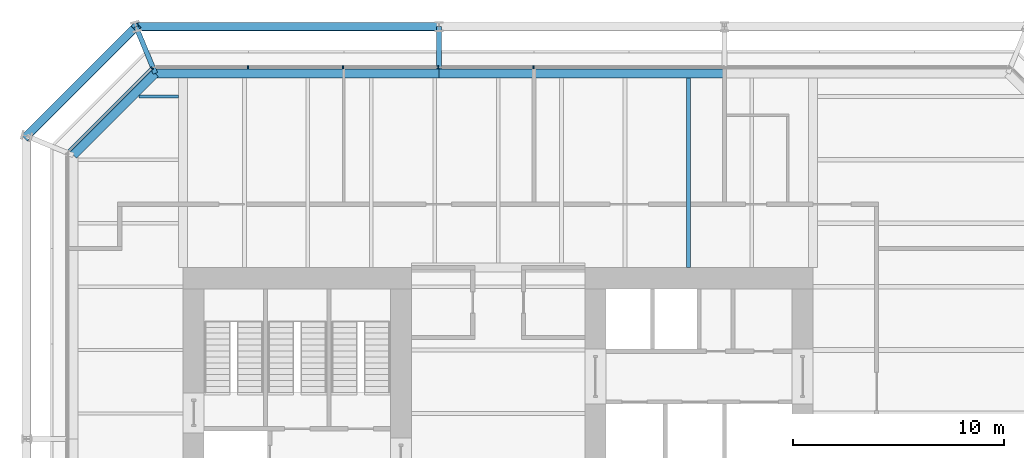
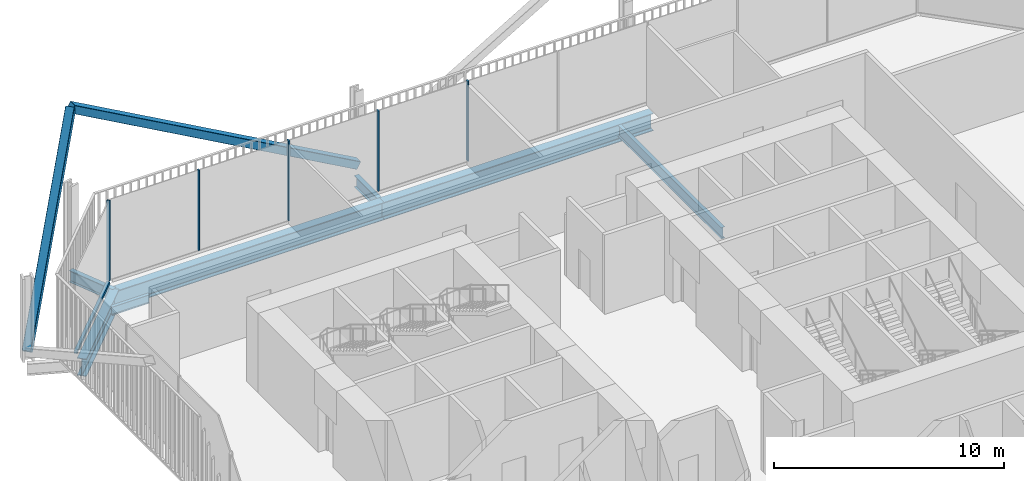
# One storey, part 12 of 21: 8 members, 7 beams, 2 elements without a shape of their own.
"""IFC4 building model written with IfcOpenShell, lengths in metres."""

from ifc_helpers import new_model, si_unit, direction, frame, origin, origin_2d, place, context, subcontext, project, spatial, rectangle, hollow_rectangle, i_section, extrude, material, layer, layer_set, material_profile, profile_set, type_object, element, aggregate, save


model = new_model("IFC4")

# Units and contexts
model_context = context("Model", 3, precision=1e-05, world=origin(), true_north=direction((0.0, 1.0)))
body_context = subcontext(model_context, "Body", "Model", "MODEL_VIEW")
ifc_project = project(units=[si_unit("LENGTHUNIT", "METRE"), si_unit("AREAUNIT", "SQUARE_METRE"), si_unit("VOLUMEUNIT", "CUBIC_METRE"), si_unit("PLANEANGLEUNIT", "RADIAN"), si_unit("MASSUNIT", "GRAM", prefix="KILO")], contexts=[model_context])

# Site, building, storey
site_placement = place(None, origin())
site = spatial("IfcSite", under=ifc_project, at=site_placement, CompositionType="ELEMENT")
building_placement = place(site_placement, origin())
building = spatial("IfcBuilding", under=site, at=building_placement, Name="Millrace Tower", CompositionType="ELEMENT")
storey_placement = place(building_placement, frame((0.0, 0.0, 82.0)))
storey = spatial("IfcBuildingStorey", under=building, at=storey_placement, Name="L18", CompositionType="ELEMENT", Elevation=82.0)

# Curtain wall, members
ifc_material_1 = material(Name="Aluminium and glass", Category="aluminium")
ifc_layer = layer(ifc_material_1, 0.14990234375)
ifc_layer_set = layer_set([ifc_layer], Name="Aluminium and glass")
curtain_wall_type = type_object("IfcCurtainWallType", Name="CW-3 telecom floor curtain wall", PredefinedType="NOTDEFINED", material=ifc_layer_set)
placement = place(storey_placement, origin())
curtain_wall_1 = element("IfcCurtainWall", 1, at=placement, inside=storey, type_object=curtain_wall_type, Name="Curtain wall B-F06 L18", PredefinedType="NOTDEFINED")
ifc_material_2 = material(Name="Aluminium", Category="aluminium")
ifc_material_profile_1 = material_profile(ifc_material_2, rectangle(XDim=0.06494140625, YDim=0.14990234375, at=origin_2d()))
ifc_profile_set_1 = profile_set([ifc_material_profile_1], Name="Aluminium")
member_type_1 = type_object("IfcMemberType", Name="CW-3 telecom floor curtain wall mullion", PredefinedType="MULLION", material=ifc_profile_set_1)
member_1_placement = place(storey_placement, frame((1.66748046875, 19.375, 0.14990234375), z_axis=(0.0, 0.0, 1.0), x_axis=(-1.0, 0.0, 0.0)))
member_1 = element("IfcMember", 2, at=member_1_placement, type_object=member_type_1, Name="CW3 mullion B-F06.6", PredefinedType="MULLION", context=body_context, shape_type="SweptSolid", body=[
    extrude(rectangle(XDim=0.06494140625, YDim=0.14990234375, at=origin_2d()), origin(), (0.0, 0.0, 1.0), 4.25),
])
member_2_placement = place(storey_placement, frame((-2.83251953125, 19.375, 0.14990234375), z_axis=(0.0, 0.0, 1.0), x_axis=(-1.0, 0.0, 0.0)))
member_2 = element("IfcMember", 3, at=member_2_placement, type_object=member_type_1, Name="CW3 mullion B-F06.7", PredefinedType="MULLION", context=body_context, shape_type="SweptSolid", body=[
    extrude(rectangle(XDim=0.06494140625, YDim=0.14990234375, at=origin_2d()), origin(), (0.0, 0.0, 1.0), 4.25),
])
member_3_placement = place(storey_placement, frame((-7.33251953125, 19.375, 0.14990234375), z_axis=(0.0, 0.0, 1.0), x_axis=(-1.0, 0.0, 0.0)))
member_3 = element("IfcMember", 4, at=member_3_placement, type_object=member_type_1, Name="CW3 mullion B-F06.8", PredefinedType="MULLION", context=body_context, shape_type="SweptSolid", body=[
    extrude(rectangle(XDim=0.06494140625, YDim=0.14990234375, at=origin_2d()), origin(), (0.0, 0.0, 1.0), 4.25),
])
member_4_placement = place(storey_placement, frame((-11.83251953125, 19.375, 0.14990234375), z_axis=(0.0, 0.0, 1.0), x_axis=(-1.0, 0.0, 0.0)))
member_4 = element("IfcMember", 5, at=member_4_placement, type_object=member_type_1, Name="CW3 mullion B-F06.9", PredefinedType="MULLION", context=body_context, shape_type="SweptSolid", body=[
    extrude(rectangle(XDim=0.06494140625, YDim=0.14990234375, at=origin_2d()), origin(), (0.0, 0.0, 1.0), 4.25),
])
aggregate(curtain_wall_1, [member_1, member_2, member_3, member_4])

curtain_wall_2 = element("IfcCurtainWall", 6, at=placement, inside=storey, type_object=curtain_wall_type, Name="Curtain wall B-F07 L18", PredefinedType="NOTDEFINED")
member_5_placement = place(storey_placement, frame((-16.3759765625, 19.330078125, 0.14990234375), z_axis=(0.0, 0.0, 1.0), x_axis=(-0.707106781187, -0.707106781187, 0.0)))
member_5 = element("IfcMember", 7, at=member_5_placement, type_object=member_type_1, Name="CW3 mullion B-F07.1", PredefinedType="MULLION", context=body_context, shape_type="SweptSolid", body=[
    extrude(rectangle(XDim=0.06494140625, YDim=0.14990234375, at=origin_2d()), origin(), (0.0, 0.0, 1.0), 4.25),
])
ifc_material_3 = material(Name="Aluminium", Category="aluminium")
ifc_material_profile_2 = material_profile(ifc_material_3, rectangle(XDim=0.14990234375, YDim=0.14990234375, at=origin_2d()))
ifc_profile_set_2 = profile_set([ifc_material_profile_2], Name="Aluminium")
member_type_2 = type_object("IfcMemberType", Name="CW-3 telecom floor curtain wall transom", PredefinedType="USERDEFINED", material=ifc_profile_set_2)
member_6_placement = place(storey_placement, frame((-16.423828125, 19.2822265625, 0.074951171875), z_axis=(-0.707106781187, -0.707106781187, 0.0), x_axis=(0.707106781187, -0.707106781187, 0.0)))
member_6 = element("IfcMember", 8, at=member_6_placement, type_object=member_type_2, Name="CW3 transom B-F07.1", ObjectType="TRANSOM", PredefinedType="USERDEFINED", context=body_context, shape_type="SweptSolid", body=[
    extrude(rectangle(XDim=0.14990234375, YDim=0.14990234375, at=origin_2d()), origin(), (0.0, 0.0, 1.0), 5.45654296875),
])
aggregate(curtain_wall_2, [member_5, member_6])

# Members
ifc_material_4 = material(Name="Steel ASTM A500 Grade C", Category="steel")
ifc_material_profile_3 = material_profile(ifc_material_4, hollow_rectangle(XDim=0.406494140625, YDim=0.406494140625, WallThickness=0.015869140625, InnerFilletRadius=0.008056640625, OuterFilletRadius=0.02392578125, at=origin_2d()))
ifc_profile_set_3 = profile_set([ifc_material_profile_3], Name="Steel ASTM A500 Grade C")
member_type_3 = type_object("IfcMemberType", Name="Exoskeleton brace HSS16x16x5/8", PredefinedType="BRACE", material=ifc_profile_set_3)
member_7_placement = place(storey_placement, frame((-2.800048828125, 21.300048828125, 0.39990234375), z_axis=(-0.873125840427, 0.0, 0.487494888976), x_axis=(0.0, -1.0, 0.0)))
element("IfcMember", 9, at=member_7_placement, inside=storey, type_object=member_type_3, Name="BRC-B-L18-12", PredefinedType="BRACE", context=body_context, shape_type="SweptSolid", body=[
    extrude(hollow_rectangle(XDim=0.406494140625, YDim=0.406494140625, WallThickness=0.015869140625, InnerFilletRadius=0.008056640625, OuterFilletRadius=0.02392578125, at=origin_2d()), origin(), (0.0, 0.0, 1.0), 16.410400390625),
])
member_8_placement = place(storey_placement, frame((-22.300048828125, 16.12841796875, 0.39990234375), z_axis=(0.477116280189, 0.477116280189, 0.738051563482), x_axis=(-0.707106781187, 0.707106781187, 0.0)))
element("IfcMember", 10, at=member_8_placement, inside=storey, type_object=member_type_3, Name="BRC-B-L18-13", PredefinedType="BRACE", context=body_context, shape_type="SweptSolid", body=[
    extrude(hollow_rectangle(XDim=0.406494140625, YDim=0.406494140625, WallThickness=0.015869140625, InnerFilletRadius=0.008056640625, OuterFilletRadius=0.02392578125, at=origin_2d()), origin(), (0.0, 0.0, 1.0), 10.83935546875),
])

# Beams
ifc_material_5 = material(Name="Steel ASTM A992 Grade 50", Category="steel")
ifc_material_profile_4 = material_profile(ifc_material_5, i_section(OverallWidth=0.15234375, OverallDepth=0.449462890625, WebThickness=0.007568359375, FlangeThickness=0.0107421875, FilletRadius=0.01025390625, at=origin_2d()))
ifc_profile_set_4 = profile_set([ifc_material_profile_4], Name="Steel ASTM A992 Grade 50")
beam_type_1 = type_object("IfcBeamType", Name="Floor beam W18x35", PredefinedType="JOIST", material=ifc_profile_set_4)
beam_1_placement = place(storey_placement, frame((-16.995361328125, 18.0, -0.4248046875), z_axis=(1.0, 0.0, 0.0), x_axis=(0.0, 1.0, 0.0)))
element("IfcBeam", 11, at=beam_1_placement, inside=storey, type_object=beam_type_1, Name="BM-B-L18-S1-S038", PredefinedType="JOIST", context=body_context, shape_type="SweptSolid", body=[
    extrude(i_section(OverallWidth=0.15234375, OverallDepth=0.449462890625, WebThickness=0.007568359375, FlangeThickness=0.0107421875, FilletRadius=0.01025390625, at=origin_2d()), origin(), (0.0, 0.0, 1.0), 1.884521484375),
])
ifc_material_6 = material(Name="Steel ASTM A992 Grade 50", Category="steel")
ifc_material_profile_5 = material_profile(ifc_material_6, i_section(OverallWidth=0.177978515625, OverallDepth=0.599365234375, WebThickness=0.010009765625, FlangeThickness=0.012939453125, FilletRadius=0.012939453125, at=origin_2d()))
ifc_profile_set_5 = profile_set([ifc_material_profile_5], Name="Steel ASTM A992 Grade 50")
beam_type_2 = type_object("IfcBeamType", Name="Floor beam W24x55", PredefinedType="JOIST", material=ifc_profile_set_5)
beam_2_placement = place(storey_placement, frame((9.0, 9.89990234375, -0.499755859375), z_axis=(0.0, 1.0, 0.0), x_axis=(-1.0, 0.0, 0.0)))
element("IfcBeam", 12, at=beam_2_placement, inside=storey, type_object=beam_type_2, Name="BM-B-L18-S1-S054", PredefinedType="JOIST", context=body_context, shape_type="SweptSolid", body=[
    extrude(i_section(OverallWidth=0.177978515625, OverallDepth=0.599365234375, WebThickness=0.010009765625, FlangeThickness=0.012939453125, FilletRadius=0.012939453125, at=origin_2d()), origin(), (0.0, 0.0, 1.0), 8.98095703125),
])
ifc_material_7 = material(Name="Steel ASTM A992 Grade 50", Category="steel")
ifc_material_profile_6 = material_profile(ifc_material_7, i_section(OverallWidth=0.23046875, OverallDepth=0.6171875, WebThickness=0.01318359375, FlangeThickness=0.022216796875, FilletRadius=0.012939453125, at=origin_2d()))
ifc_profile_set_6 = profile_set([ifc_material_profile_6], Name="Steel ASTM A992 Grade 50")
beam_type_3 = type_object("IfcBeamType", Name="Link beam W24x94", PredefinedType="BEAM", material=ifc_profile_set_6)
beam_3_placement = place(storey_placement, frame((-16.213134765625, 19.09033203125, -0.508544921875), z_axis=(-0.382679341507, 0.923881226989, 0.0), x_axis=(-0.923881226989, -0.382679341507, 0.0)))
element("IfcBeam", 13, at=beam_3_placement, inside=storey, type_object=beam_type_3, Name="LNK-B-L18-S1-05", PredefinedType="BEAM", context=body_context, shape_type="SweptSolid", body=[
    extrude(i_section(OverallWidth=0.23046875, OverallDepth=0.6171875, WebThickness=0.01318359375, FlangeThickness=0.022216796875, FilletRadius=0.012939453125, at=origin_2d()), origin(), (0.0, 0.0, 1.0), 2.391845703125),
])
beam_4_placement = place(storey_placement, frame((-2.800048828125, 19.300048828125, -0.508544921875), z_axis=(0.0, 1.0, 0.0), x_axis=(-1.0, 0.0, 0.0)))
element("IfcBeam", 14, at=beam_4_placement, inside=storey, type_object=beam_type_3, Name="LNK-B-L18-S1-06", PredefinedType="BEAM", context=body_context, shape_type="SweptSolid", body=[
    extrude(i_section(OverallWidth=0.23046875, OverallDepth=0.6171875, WebThickness=0.01318359375, FlangeThickness=0.022216796875, FilletRadius=0.012939453125, at=origin_2d()), origin(), (0.0, 0.0, 1.0), 2.0),
])
ifc_material_8 = material(Name="Steel ASTM A992 Grade 50", Category="steel")
ifc_material_profile_7 = material_profile(ifc_material_8, i_section(OverallWidth=0.419189453125, OverallDepth=0.927001953125, WebThickness=0.019287109375, FlangeThickness=0.031982421875, FilletRadius=0.024169921875, at=origin_2d()))
ifc_profile_set_7 = profile_set([ifc_material_profile_7], Name="Steel ASTM A992 Grade 50")
beam_type_4 = type_object("IfcBeamType", Name="Ring beam medium span W36x231", PredefinedType="SPANDREL", material=ifc_profile_set_7)
beam_5_placement = place(storey_placement, frame((-16.213134765625, 19.09033203125, -0.66357421875), z_axis=(1.0, 0.0, 0.0), x_axis=(0.0, 1.0, 0.0)))
element("IfcBeam", 15, at=beam_5_placement, inside=storey, type_object=beam_type_4, Name="RNG-B-L18-S1-05", PredefinedType="SPANDREL", context=body_context, shape_type="SweptSolid", body=[
    extrude(i_section(OverallWidth=0.419189453125, OverallDepth=0.927001953125, WebThickness=0.019287109375, FlangeThickness=0.031982421875, FilletRadius=0.024169921875, at=origin_2d()), origin(), (0.0, 0.0, 1.0), 13.4130859375),
])
beam_6_placement = place(storey_placement, frame((-2.800048828125, 19.09033203125, -0.66357421875), z_axis=(1.0, 0.0, 0.0), x_axis=(0.0, 1.0, 0.0)))
element("IfcBeam", 16, at=beam_6_placement, inside=storey, type_object=beam_type_4, Name="RNG-B-L18-S1-06", PredefinedType="SPANDREL", context=body_context, shape_type="SweptSolid", body=[
    extrude(i_section(OverallWidth=0.419189453125, OverallDepth=0.927001953125, WebThickness=0.019287109375, FlangeThickness=0.031982421875, FilletRadius=0.024169921875, at=origin_2d()), origin(), (0.0, 0.0, 1.0), 13.5),
])
ifc_material_9 = material(Name="Steel ASTM A992 Grade 50", Category="steel")
ifc_material_profile_8 = material_profile(ifc_material_9, i_section(OverallWidth=0.419189453125, OverallDepth=0.927001953125, WebThickness=0.019287109375, FlangeThickness=0.031982421875, FilletRadius=0.024169921875, at=origin_2d()))
ifc_profile_set_8 = profile_set([ifc_material_profile_8], Name="Steel ASTM A992 Grade 50")
beam_type_5 = type_object("IfcBeamType", Name="Ring beam short span W36x231", PredefinedType="SPANDREL", material=ifc_profile_set_8)
beam_7_placement = place(storey_placement, frame((-20.09033203125, 15.213134765625, -0.66357421875), z_axis=(0.707106781187, 0.707106781187, 0.0), x_axis=(-0.707106781187, 0.707106781187, 0.0)))
element("IfcBeam", 17, at=beam_7_placement, inside=storey, type_object=beam_type_5, Name="RNG-B-L18-S1-04", PredefinedType="SPANDREL", context=body_context, shape_type="SweptSolid", body=[
    extrude(i_section(OverallWidth=0.419189453125, OverallDepth=0.927001953125, WebThickness=0.019287109375, FlangeThickness=0.031982421875, FilletRadius=0.024169921875, at=origin_2d()), origin(), (0.0, 0.0, 1.0), 5.483154296875),
])

save(model, "model.ifc")
